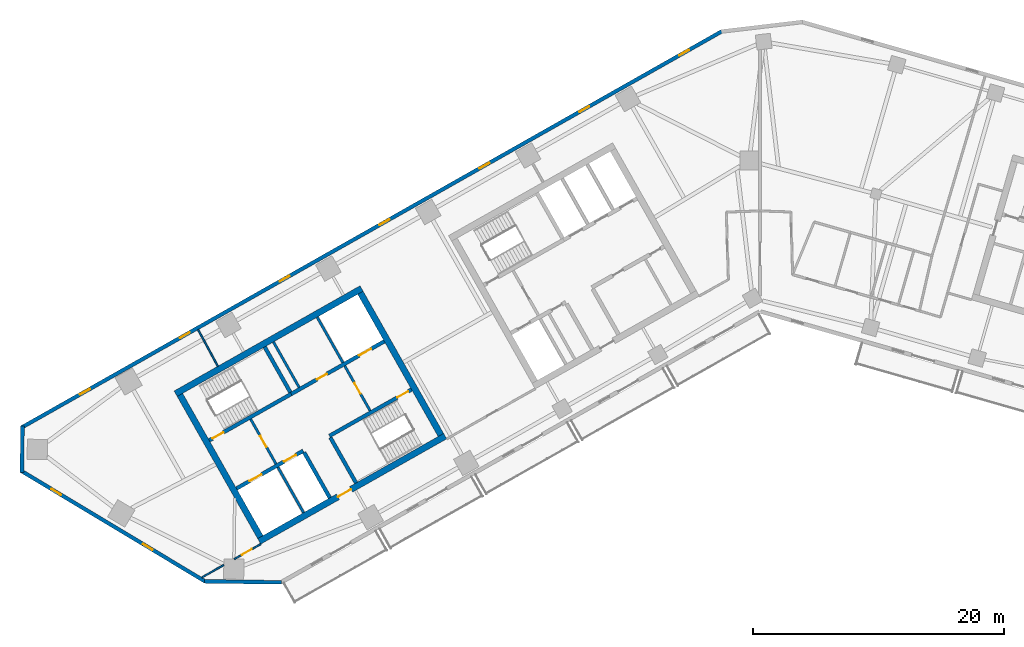
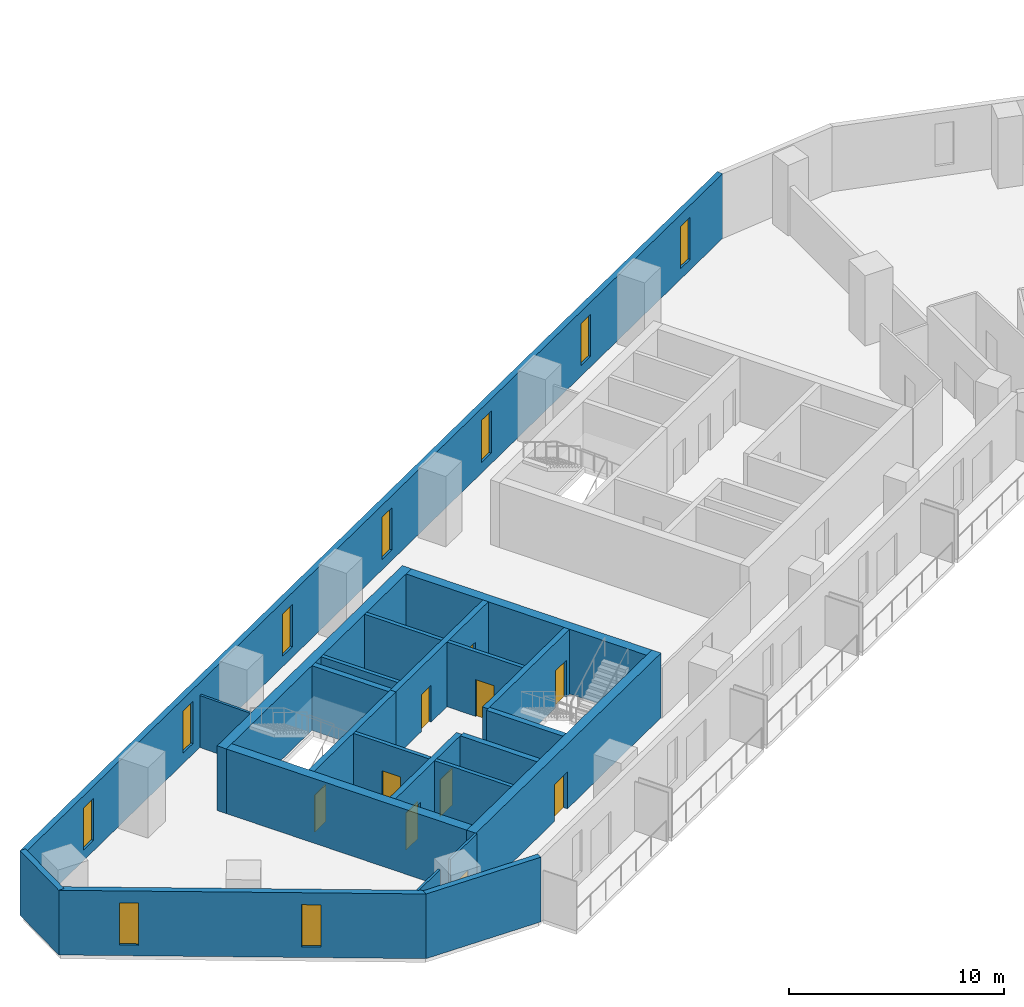
# One storey, part 3 of 9: 23 walls, 10 doors, 9 windows, 19 openings.
"""IFC4 building model written with IfcOpenShell, lengths in metres."""

from ifc_helpers import new_model, si_unit, direction, frame, frame_2d, origin, place, context, subcontext, project, spatial, rectangle, extrude, material, layer, layer_set, type_object, element, fill, save


model = new_model("IFC4")

# Units and contexts
model_context = context("Model", 3, precision=1e-05, world=origin(), true_north=direction((0.0, 1.0)))
body_context = subcontext(model_context, "Body", "Model", "MODEL_VIEW")
ifc_project = project(units=[si_unit("LENGTHUNIT", "METRE"), si_unit("AREAUNIT", "SQUARE_METRE"), si_unit("VOLUMEUNIT", "CUBIC_METRE"), si_unit("PLANEANGLEUNIT", "RADIAN"), si_unit("MASSUNIT", "GRAM", prefix="KILO")], contexts=[model_context])

# Site, building, storey
site_placement = place(None, origin())
site = spatial("IfcSite", under=ifc_project, at=site_placement, CompositionType="ELEMENT")
building_placement = place(site_placement, origin())
building = spatial("IfcBuilding", under=site, at=building_placement, Name="Binnacle Exchange Tower", CompositionType="ELEMENT")
storey_placement = place(building_placement, frame((0.0, 0.0, 174.89990234375)))
storey = spatial("IfcBuildingStorey", under=building, at=storey_placement, Name="L37", CompositionType="ELEMENT", Elevation=174.89990234375)

# Wall, openings, doors
ifc_material_1 = material(Name="Concrete C70/85", Category="concrete")
ifc_layer_1 = layer(ifc_material_1, 0.300048828125)
ifc_layer_set_1 = layer_set([ifc_layer_1], Name="Core wall - front 300")
wall_type_1 = type_object("IfcWallType", Name="Core wall - front 300", PredefinedType="SOLIDWALL", material=ifc_layer_set_1)
wall_1_placement = place(storey_placement, frame((-41.64306640625, 33.91162109375, 0.0), z_axis=(0.0, 0.0, 1.0), x_axis=(0.870343599782, 0.492444939378, 0.0)))
wall_1 = element("IfcWall", 1, at=wall_1_placement, inside=storey, type_object=wall_type_1, Name="Core wall CRWA2", PredefinedType="SOLIDWALL", context=body_context, shape_type="SweptSolid", body=[
    extrude(rectangle(XDim=6.10009765625, YDim=0.300048828125, at=frame_2d((3.050048828125, 0.0))), origin(), (0.0, 0.0, 1.0), 3.68017578125),
])
opening_1_placement = place(wall_1_placement, frame((1.199951171875, 0.0, 0.0)))
opening_1 = element("IfcOpeningElement", 2, at=opening_1_placement, cuts=wall_1, Name="Opening LD12", PredefinedType="OPENING", context=body_context, shape_type="SweptSolid", body=[
    extrude(rectangle(XDim=1.10009765625, YDim=2.10009765625, at=frame_2d((0.550048828125, 1.050048828125))), frame((0.0, 0.159912109375, 0.0), z_axis=(0.0, -1.0, 0.0), x_axis=(1.0, 0.0, 0.0)), (0.0, 0.0, 1.0), 0.320068359375),
])
opening_2_placement = place(wall_1_placement, frame((4.35009765625, 0.0, 0.0)))
opening_2 = element("IfcOpeningElement", 3, at=opening_2_placement, cuts=wall_1, Name="Opening LD8", PredefinedType="OPENING", context=body_context, shape_type="SweptSolid", body=[
    extrude(rectangle(XDim=1.10009765625, YDim=2.10009765625, at=frame_2d((0.550048828125, 1.050048828125))), frame((0.0, 0.159912109375, 0.0), z_axis=(0.0, -1.0, 0.0), x_axis=(1.0, 0.0, 0.0)), (0.0, 0.0, 1.0), 0.320068359375),
])
ifc_material_2 = material(Name="Steel door leaf", Category="steel")
door_type_1 = type_object("IfcDoorType", Name="Fire door - lift landing 1100", OperationType="NOTDEFINED", PredefinedType="DOOR", material=ifc_material_2)
door_1_placement = place(opening_1_placement, origin())
door_1 = element("IfcDoor", 4, at=door_1_placement, inside=storey, type_object=door_type_1, Name="Landing door LD12 L37", OperationType="DOUBLE_DOOR_SLIDING", OverallHeight=2.10009765625, OverallWidth=1.10009765625, PredefinedType="DOOR", context=body_context, shape_type="SweptSolid", body=[
    extrude(rectangle(XDim=1.10009765625, YDim=2.10009765625, at=frame_2d((0.550048828125, 1.050048828125))), frame((0.0, 0.02490234375, 0.0), z_axis=(0.0, -1.0, 0.0), x_axis=(1.0, 0.0, 0.0)), (0.0, 0.0, 1.0), 0.050048828125),
])
fill(opening_1, door_1)
door_2_placement = place(opening_2_placement, origin())
door_2 = element("IfcDoor", 5, at=door_2_placement, inside=storey, type_object=door_type_1, Name="Landing door LD8 L37", OperationType="DOUBLE_DOOR_SLIDING", OverallHeight=2.10009765625, OverallWidth=1.10009765625, PredefinedType="DOOR", context=body_context, shape_type="SweptSolid", body=[
    extrude(rectangle(XDim=1.10009765625, YDim=2.10009765625, at=frame_2d((0.550048828125, 1.050048828125))), frame((0.0, 0.02490234375, 0.0), z_axis=(0.0, -1.0, 0.0), x_axis=(1.0, 0.0, 0.0)), (0.0, 0.0, 1.0), 0.050048828125),
])
fill(opening_2, door_2)

wall_2_placement = place(storey_placement, frame((-37.281982421875, 41.4345703125, 0.0), z_axis=(0.0, 0.0, 1.0), x_axis=(0.870356271124, 0.492422543467, 0.0)))
wall_2 = element("IfcWall", 6, at=wall_2_placement, inside=storey, type_object=wall_type_1, Name="Core wall CRWA5", PredefinedType="SOLIDWALL", context=body_context, shape_type="SweptSolid", body=[
    extrude(rectangle(XDim=8.5, YDim=0.300048828125, at=frame_2d((4.25, 0.0))), origin(), (0.0, 0.0, 1.0), 3.68017578125),
])
opening_3_placement = place(wall_2_placement, frame((6.199951171875, 0.0, 0.0)))
opening_3 = element("IfcOpeningElement", 7, at=opening_3_placement, cuts=wall_2, Name="Opening LD13", PredefinedType="OPENING", context=body_context, shape_type="SweptSolid", body=[
    extrude(rectangle(XDim=1.10009765625, YDim=2.10009765625, at=frame_2d((0.550048828125, 1.050048828125))), frame((0.0, 0.159912109375, 0.0), z_axis=(0.0, -1.0, 0.0), x_axis=(1.0, 0.0, 0.0)), (0.0, 0.0, 1.0), 0.320068359375),
])
opening_4_placement = place(wall_2_placement, frame((2.35009765625, 0.0, 0.0)))
opening_4 = element("IfcOpeningElement", 8, at=opening_4_placement, cuts=wall_2, Name="Opening DA10", PredefinedType="OPENING", context=body_context, shape_type="SweptSolid", body=[
    extrude(rectangle(XDim=0.89990234375, YDim=2.10009765625, at=frame_2d((0.449951171875, 1.050048828125))), frame((0.0, 0.159912109375, 0.0), z_axis=(0.0, -1.0, 0.0), x_axis=(1.0, 0.0, 0.0)), (0.0, 0.0, 1.0), 0.320068359375),
])
door_3_placement = place(opening_3_placement, origin())
door_3 = element("IfcDoor", 9, at=door_3_placement, inside=storey, type_object=door_type_1, Name="Landing door LD13 L37", OperationType="DOUBLE_DOOR_SLIDING", OverallHeight=2.10009765625, OverallWidth=1.10009765625, PredefinedType="DOOR", context=body_context, shape_type="SweptSolid", body=[
    extrude(rectangle(XDim=1.10009765625, YDim=2.10009765625, at=frame_2d((0.550048828125, 1.050048828125))), frame((0.0, 0.02490234375, 0.0), z_axis=(0.0, -1.0, 0.0), x_axis=(1.0, 0.0, 0.0)), (0.0, 0.0, 1.0), 0.050048828125),
])
fill(opening_3, door_3)
door_type_2 = type_object("IfcDoorType", Name="Fire door 900", OperationType="NOTDEFINED", PredefinedType="DOOR", material=ifc_material_2)
door_4_placement = place(opening_4_placement, origin())
door_4 = element("IfcDoor", 10, at=door_4_placement, inside=storey, type_object=door_type_2, Name="Core room door TELECOM RISER ROOM", OperationType="SINGLE_SWING_LEFT", OverallHeight=2.10009765625, OverallWidth=0.89990234375, PredefinedType="DOOR", context=body_context, shape_type="SweptSolid", body=[
    extrude(rectangle(XDim=0.89990234375, YDim=2.10009765625, at=frame_2d((0.449951171875, 1.050048828125))), frame((0.0, 0.02490234375, 0.0), z_axis=(0.0, -1.0, 0.0), x_axis=(1.0, 0.0, 0.0)), (0.0, 0.0, 1.0), 0.050048828125),
])
fill(opening_4, door_4)

# Wall
wall_3_placement = place(storey_placement, frame((-36.260009765625, 36.784912109375, 0.0), z_axis=(0.0, 0.0, 1.0), x_axis=(0.492421666909, -0.870356767055, 0.0)))
element("IfcWall", 11, at=wall_3_placement, inside=storey, type_object=wall_type_1, Name="Core wall CRWA13", PredefinedType="SOLIDWALL", context=body_context, shape_type="SweptSolid", body=[
    extrude(rectangle(XDim=4.14990234375, YDim=0.300048828125, at=frame_2d((2.074951171875, 0.0))), origin(), (0.0, 0.0, 1.0), 3.68017578125),
])

# Wall, opening, door
ifc_layer_2 = layer(ifc_material_1, 0.5)
ifc_layer_set_2 = layer_set([ifc_layer_2], Name="Core wall - outer 500")
wall_type_2 = type_object("IfcWallType", Name="Core wall - outer 500", PredefinedType="SOLIDWALL", material=ifc_layer_set_2)
wall_4_placement = place(storey_placement, frame((-39.837646484375, 29.705322265625, 0.0), z_axis=(0.0, 0.0, 1.0), x_axis=(0.870350116061, 0.492433422375, 0.0)))
wall_4 = element("IfcWall", 12, at=wall_4_placement, inside=storey, type_object=wall_type_2, Name="Core wall CRWA1", PredefinedType="SOLIDWALL", context=body_context, shape_type="SweptSolid", body=[
    extrude(rectangle(XDim=17.0, YDim=0.5, at=frame_2d((8.5, 0.0))), origin(), (0.0, 0.0, 1.0), 3.68017578125),
])
opening_5_placement = place(wall_4_placement, frame((7.199951171875, 0.0, 0.0)))
opening_5 = element("IfcOpeningElement", 13, at=opening_5_placement, cuts=wall_4, Name="Opening DA7", PredefinedType="OPENING", context=body_context, shape_type="SweptSolid", body=[
    extrude(rectangle(XDim=1.199951171875, YDim=2.10009765625, at=frame_2d((0.60009765625, 1.050048828125))), frame((0.0, 0.260009765625, 0.0), z_axis=(0.0, -1.0, 0.0), x_axis=(1.0, 0.0, 0.0)), (0.0, 0.0, 1.0), 0.52001953125),
])
door_type_3 = type_object("IfcDoorType", Name="Fire door 1200", OperationType="NOTDEFINED", PredefinedType="DOOR", material=ifc_material_2)
door_5_placement = place(opening_5_placement, frame((1.199951171875, 0.0, 0.0), z_axis=(0.0, 0.0, 1.0), x_axis=(-1.0, 0.0, 0.0)))
door_5 = element("IfcDoor", 14, at=door_5_placement, inside=storey, type_object=door_type_3, Name="Lift lobby entrance door core A", OperationType="SINGLE_SWING_RIGHT", OverallHeight=2.10009765625, OverallWidth=1.199951171875, PredefinedType="DOOR", context=body_context, shape_type="SweptSolid", body=[
    extrude(rectangle(XDim=1.199951171875, YDim=2.10009765625, at=frame_2d((0.60009765625, 1.050048828125))), frame((0.0, 0.02490234375, 0.0), z_axis=(0.0, -1.0, 0.0), x_axis=(1.0, 0.0, 0.0)), (0.0, 0.0, 1.0), 0.050048828125),
])
fill(opening_5, door_5)

# Walls
wall_5_placement = place(storey_placement, frame((-46.485595703125, 41.455078125, 0.0), z_axis=(0.0, 0.0, 1.0), x_axis=(0.870353598469, 0.492427267353, 0.0)))
element("IfcWall", 15, at=wall_5_placement, inside=storey, type_object=wall_type_2, Name="Core wall CRWA6", PredefinedType="SOLIDWALL", context=body_context, shape_type="SweptSolid", body=[
    extrude(rectangle(XDim=17.000244140625, YDim=0.5, at=frame_2d((8.5, 0.0))), origin(), (0.0, 0.0, 1.0), 3.68017578125),
])
for number, where, z_axis, x_axis, name in (
    (16, (-46.144775390625, 41.360595703125, 0.0), (0.0, 0.0, 1.0), (0.492435316254, -0.870349044525, 0.0), "Core wall CRWA7"),
    (17, (-31.783935546875, 49.485595703125, 0.0), (0.0, 0.0, 1.0), (0.492435316254, -0.870349044525, 0.0), "Core wall CRWA22"),
):
    element("IfcWall", number, at=place(storey_placement, frame(where, z_axis=z_axis, x_axis=x_axis)), inside=storey, type_object=wall_type_2, Name=name, PredefinedType="SOLIDWALL", context=body_context, shape_type="SweptSolid", body=[
        extrude(rectangle(XDim=13.0, YDim=0.5, at=frame_2d((6.5, 0.0))), origin(), (0.0, 0.0, 1.0), 3.68017578125),
    ])

# Wall, opening, door
ifc_layer_3 = layer(ifc_material_1, 0.300048828125)
ifc_layer_set_3 = layer_set([ifc_layer_3], Name="Core wall - stair 300")
wall_type_3 = type_object("IfcWallType", Name="Core wall - stair 300", PredefinedType="SOLIDWALL", material=ifc_layer_set_3)
wall_6_placement = place(storey_placement, frame((-34.2451171875, 38.097412109375, 0.0), z_axis=(0.0, 0.0, 1.0), x_axis=(0.870364520461, 0.492407962489, 0.0)))
wall_6 = element("IfcWall", 18, at=wall_6_placement, inside=storey, type_object=wall_type_3, Name="Core wall CRWA3", PredefinedType="SOLIDWALL", context=body_context, shape_type="SweptSolid", body=[
    extrude(rectangle(XDim=7.5, YDim=0.300048828125, at=frame_2d((3.75, 0.0))), origin(), (0.0, 0.0, 1.0), 3.68017578125),
])
opening_6_placement = place(wall_6_placement, frame((6.199951171875, 0.0, 0.0)))
opening_6 = element("IfcOpeningElement", 19, at=opening_6_placement, cuts=wall_6, Name="Opening DA2", PredefinedType="OPENING", context=body_context, shape_type="SweptSolid", body=[
    extrude(rectangle(XDim=1.0, YDim=2.10009765625, at=frame_2d((0.5, 1.050048828125))), frame((0.0, 0.159912109375, 0.0), z_axis=(0.0, -1.0, 0.0), x_axis=(1.0, 0.0, 0.0)), (0.0, 0.0, 1.0), 0.320068359375),
])
door_type_4 = type_object("IfcDoorType", Name="Fire door 1000", OperationType="NOTDEFINED", PredefinedType="DOOR", material=ifc_material_2)
door_6_placement = place(opening_6_placement, frame((1.0, 0.0, 0.0), z_axis=(0.0, 0.0, 1.0), x_axis=(-1.0, 0.0, 0.0)))
door_6 = element("IfcDoor", 20, at=door_6_placement, inside=storey, type_object=door_type_4, Name="Stair door ST-A2", OperationType="SINGLE_SWING_LEFT", OverallHeight=2.10009765625, OverallWidth=1.0, PredefinedType="DOOR", context=body_context, shape_type="SweptSolid", body=[
    extrude(rectangle(XDim=1.0, YDim=2.10009765625, at=frame_2d((0.5, 1.050048828125))), frame((0.0, 0.02490234375, 0.0), z_axis=(0.0, -1.0, 0.0), x_axis=(1.0, 0.0, 0.0)), (0.0, 0.0, 1.0), 0.050048828125),
])
fill(opening_6, door_6)

wall_7_placement = place(storey_placement, frame((-43.809814453125, 37.7412109375, 0.0), z_axis=(0.0, 0.0, 1.0), x_axis=(0.870350569555, 0.492432620848, 0.0)))
wall_7 = element("IfcWall", 21, at=wall_7_placement, inside=storey, type_object=wall_type_3, Name="Core wall CRWA4", PredefinedType="SOLIDWALL", context=body_context, shape_type="SweptSolid", body=[
    extrude(rectangle(XDim=7.500244140625, YDim=0.300048828125, at=frame_2d((3.75, 0.0))), origin(), (0.0, 0.0, 1.0), 3.68017578125),
])
opening_7_placement = place(wall_7_placement, frame((0.2998046875, 0.0, 0.0)))
opening_7 = element("IfcOpeningElement", 22, at=opening_7_placement, cuts=wall_7, Name="Opening DA1", PredefinedType="OPENING", context=body_context, shape_type="SweptSolid", body=[
    extrude(rectangle(XDim=1.0, YDim=2.10009765625, at=frame_2d((0.5, 1.050048828125))), frame((0.0, 0.159912109375, 0.0), z_axis=(0.0, -1.0, 0.0), x_axis=(1.0, 0.0, 0.0)), (0.0, 0.0, 1.0), 0.320068359375),
])
door_7_placement = place(opening_7_placement, origin())
door_7 = element("IfcDoor", 23, at=door_7_placement, inside=storey, type_object=door_type_4, Name="Stair door ST-A1", OperationType="SINGLE_SWING_LEFT", OverallHeight=2.10009765625, OverallWidth=1.0, PredefinedType="DOOR", context=body_context, shape_type="SweptSolid", body=[
    extrude(rectangle(XDim=1.0, YDim=2.10009765625, at=frame_2d((0.5, 1.050048828125))), frame((0.0, 0.02490234375, 0.0), z_axis=(0.0, -1.0, 0.0), x_axis=(1.0, 0.0, 0.0)), (0.0, 0.0, 1.0), 0.050048828125),
])
fill(opening_7, door_7)

# Walls
for number, where, z_axis, x_axis, name in (
    (24, (-39.3994140625, 45.177001953125, 0.0), (0.0, 0.0, 1.0), (0.492396453737, -0.870371031427, 0.0), "Core wall CRWA14"),
    (25, (-34.171142578125, 37.966796875, 0.0), (0.0, 0.0, 1.0), (0.492396453737, -0.870371031427, 0.0), "Core wall CRWA16"),
):
    element("IfcWall", number, at=place(storey_placement, frame(where, z_axis=z_axis, x_axis=x_axis)), inside=storey, type_object=wall_type_3, Name=name, PredefinedType="SOLIDWALL", context=body_context, shape_type="SweptSolid", body=[
        extrude(rectangle(XDim=4.14990234375, YDim=0.300048828125, at=frame_2d((2.074951171875, 0.0))), origin(), (0.0, 0.0, 1.0), 3.68017578125),
    ])
ifc_material_3 = material(Name="Bronze aluminium cladding", Category="aluminium")
ifc_layer_4 = layer(ifc_material_3, 0.300048828125)
ifc_layer_set_4 = layer_set([ifc_layer_4], Name="External wall - spandrel 300")
wall_type_4 = type_object("IfcWallType", Name="External wall - spandrel 300", PredefinedType="STANDARD", material=ifc_layer_set_4)
wall_8_placement = place(storey_placement, frame((-38.057373046875, 26.44482421875, 0.0), z_axis=(0.0, 0.0, 1.0), x_axis=(-0.999914086342, 0.013108010296, 0.0)))
element("IfcWall", 26, at=wall_8_placement, inside=storey, type_object=wall_type_4, Name="External wall EW-G00 L37", PredefinedType="STANDARD", context=body_context, shape_type="SweptSolid", body=[
    extrude(rectangle(XDim=6.127685546875, YDim=0.300048828125, at=frame_2d((3.06396484375, 0.0))), origin(), (0.0, 0.0, 1.0), 3.68017578125),
])

# Wall, openings, windows
wall_9_placement = place(storey_placement, frame((-58.744873046875, 38.763671875, 0.0), z_axis=(0.0, 0.0, 1.0), x_axis=(0.870355811726, 0.492423355453, 0.0)))
wall_9 = element("IfcWall", 27, at=wall_9_placement, inside=storey, type_object=wall_type_4, Name="External wall EW-G08 L37", PredefinedType="STANDARD", context=body_context, shape_type="SweptSolid", body=[
    extrude(rectangle(XDim=64.025390625, YDim=0.300048828125, at=frame_2d((32.0126953125, 0.0))), origin(), (0.0, 0.0, 1.0), 3.68017578125),
])
opening_8_placement = place(wall_9_placement, frame((60.12158203125, 0.0, 0.60009765625)))
opening_8 = element("IfcOpeningElement", 28, at=opening_8_placement, cuts=wall_9, Name="Opening WS3", PredefinedType="OPENING", context=body_context, shape_type="SweptSolid", body=[
    extrude(rectangle(XDim=0.89990234375, YDim=2.39990234375, at=frame_2d((0.449951171875, 1.199951171875))), frame((0.0, 0.159912109375, 0.0), z_axis=(0.0, -1.0, 0.0), x_axis=(1.0, 0.0, 0.0)), (0.0, 0.0, 1.0), 0.320068359375),
])
opening_9_placement = place(wall_9_placement, frame((50.99169921875, 0.0, 0.60009765625)))
opening_9 = element("IfcOpeningElement", 29, at=opening_9_placement, cuts=wall_9, Name="Opening WS3", PredefinedType="OPENING", context=body_context, shape_type="SweptSolid", body=[
    extrude(rectangle(XDim=0.89990234375, YDim=2.39990234375, at=frame_2d((0.449951171875, 1.199951171875))), frame((0.0, 0.159912109375, 0.0), z_axis=(0.0, -1.0, 0.0), x_axis=(1.0, 0.0, 0.0)), (0.0, 0.0, 1.0), 0.320068359375),
])
opening_10_placement = place(wall_9_placement, frame((41.86181640625, 0.0, 0.60009765625)))
opening_10 = element("IfcOpeningElement", 30, at=opening_10_placement, cuts=wall_9, Name="Opening WS3", PredefinedType="OPENING", context=body_context, shape_type="SweptSolid", body=[
    extrude(rectangle(XDim=0.89990234375, YDim=2.39990234375, at=frame_2d((0.449951171875, 1.199951171875))), frame((0.0, 0.159912109375, 0.0), z_axis=(0.0, -1.0, 0.0), x_axis=(1.0, 0.0, 0.0)), (0.0, 0.0, 1.0), 0.320068359375),
])
opening_11_placement = place(wall_9_placement, frame((32.73193359375, 0.0, 0.60009765625)))
opening_11 = element("IfcOpeningElement", 31, at=opening_11_placement, cuts=wall_9, Name="Opening WS3", PredefinedType="OPENING", context=body_context, shape_type="SweptSolid", body=[
    extrude(rectangle(XDim=0.89990234375, YDim=2.39990234375, at=frame_2d((0.449951171875, 1.199951171875))), frame((0.0, 0.159912109375, 0.0), z_axis=(0.0, -1.0, 0.0), x_axis=(1.0, 0.0, 0.0)), (0.0, 0.0, 1.0), 0.320068359375),
])
opening_12_placement = place(wall_9_placement, frame((23.60205078125, 0.0, 0.60009765625)))
opening_12 = element("IfcOpeningElement", 32, at=opening_12_placement, cuts=wall_9, Name="Opening WS3", PredefinedType="OPENING", context=body_context, shape_type="SweptSolid", body=[
    extrude(rectangle(XDim=0.89990234375, YDim=2.39990234375, at=frame_2d((0.449951171875, 1.199951171875))), frame((0.0, 0.159912109375, 0.0), z_axis=(0.0, -1.0, 0.0), x_axis=(1.0, 0.0, 0.0)), (0.0, 0.0, 1.0), 0.320068359375),
])
opening_13_placement = place(wall_9_placement, frame((14.47216796875, 0.0, 0.60009765625)))
opening_13 = element("IfcOpeningElement", 33, at=opening_13_placement, cuts=wall_9, Name="Opening WS3", PredefinedType="OPENING", context=body_context, shape_type="SweptSolid", body=[
    extrude(rectangle(XDim=0.89990234375, YDim=2.39990234375, at=frame_2d((0.449951171875, 1.199951171875))), frame((0.0, 0.159912109375, 0.0), z_axis=(0.0, -1.0, 0.0), x_axis=(1.0, 0.0, 0.0)), (0.0, 0.0, 1.0), 0.320068359375),
])
opening_14_placement = place(wall_9_placement, frame((5.34228515625, 0.0, 0.60009765625)))
opening_14 = element("IfcOpeningElement", 34, at=opening_14_placement, cuts=wall_9, Name="Opening WS3", PredefinedType="OPENING", context=body_context, shape_type="SweptSolid", body=[
    extrude(rectangle(XDim=0.89990234375, YDim=2.39990234375, at=frame_2d((0.449951171875, 1.199951171875))), frame((0.0, 0.159912109375, 0.0), z_axis=(0.0, -1.0, 0.0), x_axis=(1.0, 0.0, 0.0)), (0.0, 0.0, 1.0), 0.320068359375),
])
ifc_material_4 = material(Name="Bronze anodised aluminium frame", Category="aluminium")
window_type = type_object("IfcWindowType", Name="WS3 WINDOW 900x2400", PartitioningType="SINGLE_PANEL", PredefinedType="WINDOW", material=ifc_material_4)
window_1_placement = place(opening_8_placement, origin())
window_1 = element("IfcWindow", 35, at=window_1_placement, inside=storey, type_object=window_type, Name="Window WS3 L37", OverallHeight=2.39990234375, OverallWidth=0.89990234375, PartitioningType="SINGLE_PANEL", PredefinedType="WINDOW", context=body_context, shape_type="SweptSolid", body=[
    extrude(rectangle(XDim=0.89990234375, YDim=2.39990234375, at=frame_2d((0.449951171875, 1.199951171875))), frame((0.0, 0.030029296875, 0.0), z_axis=(0.0, -1.0, 0.0), x_axis=(1.0, 0.0, 0.0)), (0.0, 0.0, 1.0), 0.06005859375),
])
fill(opening_8, window_1)
window_2_placement = place(opening_9_placement, origin())
window_2 = element("IfcWindow", 36, at=window_2_placement, inside=storey, type_object=window_type, Name="Window WS3 L37", OverallHeight=2.39990234375, OverallWidth=0.89990234375, PartitioningType="SINGLE_PANEL", PredefinedType="WINDOW", context=body_context, shape_type="SweptSolid", body=[
    extrude(rectangle(XDim=0.89990234375, YDim=2.39990234375, at=frame_2d((0.449951171875, 1.199951171875))), frame((0.0, 0.030029296875, 0.0), z_axis=(0.0, -1.0, 0.0), x_axis=(1.0, 0.0, 0.0)), (0.0, 0.0, 1.0), 0.06005859375),
])
fill(opening_9, window_2)
window_3_placement = place(opening_10_placement, origin())
window_3 = element("IfcWindow", 37, at=window_3_placement, inside=storey, type_object=window_type, Name="Window WS3 L37", OverallHeight=2.39990234375, OverallWidth=0.89990234375, PartitioningType="SINGLE_PANEL", PredefinedType="WINDOW", context=body_context, shape_type="SweptSolid", body=[
    extrude(rectangle(XDim=0.89990234375, YDim=2.39990234375, at=frame_2d((0.449951171875, 1.199951171875))), frame((0.0, 0.030029296875, 0.0), z_axis=(0.0, -1.0, 0.0), x_axis=(1.0, 0.0, 0.0)), (0.0, 0.0, 1.0), 0.06005859375),
])
fill(opening_10, window_3)
window_4_placement = place(opening_11_placement, origin())
window_4 = element("IfcWindow", 38, at=window_4_placement, inside=storey, type_object=window_type, Name="Window WS3 L37", OverallHeight=2.39990234375, OverallWidth=0.89990234375, PartitioningType="SINGLE_PANEL", PredefinedType="WINDOW", context=body_context, shape_type="SweptSolid", body=[
    extrude(rectangle(XDim=0.89990234375, YDim=2.39990234375, at=frame_2d((0.449951171875, 1.199951171875))), frame((0.0, 0.030029296875, 0.0), z_axis=(0.0, -1.0, 0.0), x_axis=(1.0, 0.0, 0.0)), (0.0, 0.0, 1.0), 0.06005859375),
])
fill(opening_11, window_4)
window_5_placement = place(opening_12_placement, origin())
window_5 = element("IfcWindow", 39, at=window_5_placement, inside=storey, type_object=window_type, Name="Window WS3 L37", OverallHeight=2.39990234375, OverallWidth=0.89990234375, PartitioningType="SINGLE_PANEL", PredefinedType="WINDOW", context=body_context, shape_type="SweptSolid", body=[
    extrude(rectangle(XDim=0.89990234375, YDim=2.39990234375, at=frame_2d((0.449951171875, 1.199951171875))), frame((0.0, 0.030029296875, 0.0), z_axis=(0.0, -1.0, 0.0), x_axis=(1.0, 0.0, 0.0)), (0.0, 0.0, 1.0), 0.06005859375),
])
fill(opening_12, window_5)
window_6_placement = place(opening_13_placement, origin())
window_6 = element("IfcWindow", 40, at=window_6_placement, inside=storey, type_object=window_type, Name="Window WS3 L37", OverallHeight=2.39990234375, OverallWidth=0.89990234375, PartitioningType="SINGLE_PANEL", PredefinedType="WINDOW", context=body_context, shape_type="SweptSolid", body=[
    extrude(rectangle(XDim=0.89990234375, YDim=2.39990234375, at=frame_2d((0.449951171875, 1.199951171875))), frame((0.0, 0.030029296875, 0.0), z_axis=(0.0, -1.0, 0.0), x_axis=(1.0, 0.0, 0.0)), (0.0, 0.0, 1.0), 0.06005859375),
])
fill(opening_13, window_6)
window_7_placement = place(opening_14_placement, origin())
window_7 = element("IfcWindow", 41, at=window_7_placement, inside=storey, type_object=window_type, Name="Window WS3 L37", OverallHeight=2.39990234375, OverallWidth=0.89990234375, PartitioningType="SINGLE_PANEL", PredefinedType="WINDOW", context=body_context, shape_type="SweptSolid", body=[
    extrude(rectangle(XDim=0.89990234375, YDim=2.39990234375, at=frame_2d((0.449951171875, 1.199951171875))), frame((0.0, 0.030029296875, 0.0), z_axis=(0.0, -1.0, 0.0), x_axis=(1.0, 0.0, 0.0)), (0.0, 0.0, 1.0), 0.06005859375),
])
fill(opening_14, window_7)

# Wall
wall_10_placement = place(storey_placement, frame((-58.717041015625, 35.19384765625, 0.0), z_axis=(0.0, 0.0, 1.0), x_axis=(0.013069053407, 0.999914596275, 0.0)))
element("IfcWall", 42, at=wall_10_placement, inside=storey, type_object=wall_type_4, Name="External wall EW-G09 L37", PredefinedType="STANDARD", context=body_context, shape_type="SweptSolid", body=[
    extrude(rectangle(XDim=3.69873046875, YDim=0.300048828125, at=frame_2d((1.849365234375, 0.0))), origin(), (0.0, 0.0, 1.0), 3.68017578125),
])

# Wall, openings, windows
wall_11_placement = place(storey_placement, frame((-44.109375, 26.503662109375, 0.0), z_axis=(0.0, 0.0, 1.0), x_axis=(-0.857169502585, 0.515034410344, 0.0)))
wall_11 = element("IfcWall", 43, at=wall_11_placement, inside=storey, type_object=wall_type_4, Name="External wall EW-G10 L37", PredefinedType="STANDARD", context=body_context, shape_type="SweptSolid", body=[
    extrude(rectangle(XDim=17.126708984375, YDim=0.300048828125, at=frame_2d((8.5634765625, 0.0))), origin(), (0.0, 0.0, 1.0), 3.68017578125),
])
opening_15_placement = place(wall_11_placement, frame((13.403076171875, 0.0, 0.60009765625)))
opening_15 = element("IfcOpeningElement", 44, at=opening_15_placement, cuts=wall_11, Name="Opening WS3", PredefinedType="OPENING", context=body_context, shape_type="SweptSolid", body=[
    extrude(rectangle(XDim=0.89990234375, YDim=2.39990234375, at=frame_2d((0.449951171875, 1.199951171875))), frame((0.0, 0.159912109375, 0.0), z_axis=(0.0, -1.0, 0.0), x_axis=(1.0, 0.0, 0.0)), (0.0, 0.0, 1.0), 0.320068359375),
])
opening_16_placement = place(wall_11_placement, frame((4.903076171875, 0.0, 0.60009765625)))
opening_16 = element("IfcOpeningElement", 45, at=opening_16_placement, cuts=wall_11, Name="Opening WS3", PredefinedType="OPENING", context=body_context, shape_type="SweptSolid", body=[
    extrude(rectangle(XDim=0.89990234375, YDim=2.39990234375, at=frame_2d((0.449951171875, 1.199951171875))), frame((0.0, 0.159912109375, 0.0), z_axis=(0.0, -1.0, 0.0), x_axis=(1.0, 0.0, 0.0)), (0.0, 0.0, 1.0), 0.320068359375),
])
window_8_placement = place(opening_15_placement, origin())
window_8 = element("IfcWindow", 46, at=window_8_placement, inside=storey, type_object=window_type, Name="Window WS3 L37", OverallHeight=2.39990234375, OverallWidth=0.89990234375, PartitioningType="SINGLE_PANEL", PredefinedType="WINDOW", context=body_context, shape_type="SweptSolid", body=[
    extrude(rectangle(XDim=0.89990234375, YDim=2.39990234375, at=frame_2d((0.449951171875, 1.199951171875))), frame((0.0, 0.030029296875, 0.0), z_axis=(0.0, -1.0, 0.0), x_axis=(1.0, 0.0, 0.0)), (0.0, 0.0, 1.0), 0.06005859375),
])
fill(opening_15, window_8)
window_9_placement = place(opening_16_placement, origin())
window_9 = element("IfcWindow", 47, at=window_9_placement, inside=storey, type_object=window_type, Name="Window WS3 L37", OverallHeight=2.39990234375, OverallWidth=0.89990234375, PartitioningType="SINGLE_PANEL", PredefinedType="WINDOW", context=body_context, shape_type="SweptSolid", body=[
    extrude(rectangle(XDim=0.89990234375, YDim=2.39990234375, at=frame_2d((0.449951171875, 1.199951171875))), frame((0.0, 0.030029296875, 0.0), z_axis=(0.0, -1.0, 0.0), x_axis=(1.0, 0.0, 0.0)), (0.0, 0.0, 1.0), 0.06005859375),
])
fill(opening_16, window_9)

# Wall, opening, door
ifc_material_5 = material(Name="Masonry block wall", Category="masonry")
ifc_layer_5 = layer(ifc_material_5, 0.199951171875)
ifc_layer_set_5 = layer_set([ifc_layer_5], Name="Fire wall - vestibule 200")
wall_type_5 = type_object("IfcWallType", Name="Fire wall - vestibule 200", PredefinedType="PARTITIONING", material=ifc_layer_set_5)
wall_12_placement = place(storey_placement, frame((-40.515625, 39.4326171875, 0.0), z_axis=(0.0, 0.0, 1.0), x_axis=(0.492453559952, -0.87033872216, 0.0)))
wall_12 = element("IfcWall", 48, at=wall_12_placement, inside=storey, type_object=wall_type_5, Name="Core wall CRWA10", PredefinedType="PARTITIONING", context=body_context, shape_type="SweptSolid", body=[
    extrude(rectangle(XDim=4.099853515625, YDim=0.199951171875, at=frame_2d((2.0498046875, 0.0))), origin(), (0.0, 0.0, 1.0), 3.68017578125),
])
opening_17_placement = place(wall_12_placement, frame((1.550048828125, 0.0, 0.0)))
opening_17 = element("IfcOpeningElement", 49, at=opening_17_placement, cuts=wall_12, Name="Opening DA3", PredefinedType="OPENING", context=body_context, shape_type="SweptSolid", body=[
    extrude(rectangle(XDim=1.0, YDim=2.10009765625, at=frame_2d((0.5, 1.050048828125))), frame((0.0, 0.10986328125, 0.0), z_axis=(0.0, -1.0, 0.0), x_axis=(1.0, 0.0, 0.0)), (0.0, 0.0, 1.0), 0.219970703125),
])
door_8_placement = place(opening_17_placement, frame((1.0, 0.0, 0.0), z_axis=(0.0, 0.0, 1.0), x_axis=(-1.0, 0.0, 0.0)))
door_8 = element("IfcDoor", 50, at=door_8_placement, inside=storey, type_object=door_type_4, Name="Vestibule door VEST-W", OperationType="SINGLE_SWING_LEFT", OverallHeight=2.10009765625, OverallWidth=1.0, PredefinedType="DOOR", context=body_context, shape_type="SweptSolid", body=[
    extrude(rectangle(XDim=1.0, YDim=2.10009765625, at=frame_2d((0.5, 1.050048828125))), frame((0.0, 0.02490234375, 0.0), z_axis=(0.0, -1.0, 0.0), x_axis=(1.0, 0.0, 0.0)), (0.0, 0.0, 1.0), 0.050048828125),
])
fill(opening_17, door_8)

wall_13_placement = place(storey_placement, frame((-33.030517578125, 43.66748046875, 0.0), z_axis=(0.0, 0.0, 1.0), x_axis=(0.492408451753, -0.87036424366, 0.0)))
wall_13 = element("IfcWall", 51, at=wall_13_placement, inside=storey, type_object=wall_type_5, Name="Core wall CRWA19", PredefinedType="PARTITIONING", context=body_context, shape_type="SweptSolid", body=[
    extrude(rectangle(XDim=4.099853515625, YDim=0.199951171875, at=frame_2d((2.0498046875, 0.0))), origin(), (0.0, 0.0, 1.0), 3.68017578125),
])
opening_18_placement = place(wall_13_placement, frame((1.550048828125, 0.0, 0.0)))
opening_18 = element("IfcOpeningElement", 52, at=opening_18_placement, cuts=wall_13, Name="Opening DA4", PredefinedType="OPENING", context=body_context, shape_type="SweptSolid", body=[
    extrude(rectangle(XDim=1.0, YDim=2.10009765625, at=frame_2d((0.5, 1.050048828125))), frame((0.0, 0.10986328125, 0.0), z_axis=(0.0, -1.0, 0.0), x_axis=(1.0, 0.0, 0.0)), (0.0, 0.0, 1.0), 0.219970703125),
])
door_9_placement = place(opening_18_placement, origin())
door_9 = element("IfcDoor", 53, at=door_9_placement, inside=storey, type_object=door_type_4, Name="Vestibule door VEST-E", OperationType="SINGLE_SWING_RIGHT", OverallHeight=2.10009765625, OverallWidth=1.0, PredefinedType="DOOR", context=body_context, shape_type="SweptSolid", body=[
    extrude(rectangle(XDim=1.0, YDim=2.10009765625, at=frame_2d((0.5, 1.050048828125))), frame((0.0, 0.02490234375, 0.0), z_axis=(0.0, -1.0, 0.0), x_axis=(1.0, 0.0, 0.0)), (0.0, 0.0, 1.0), 0.050048828125),
])
fill(opening_18, door_9)

# Walls
ifc_material_6 = material(Name="Gypsum partition")
ifc_layer_6 = layer(ifc_material_6, 0.125)
ifc_layer_set_6 = layer_set([ifc_layer_6], Name="Partition 125")
wall_type_6 = type_object("IfcWallType", Name="Partition 125", PredefinedType="PARTITIONING", material=ifc_layer_set_6)
wall_14_placement = place(storey_placement, frame((-44.693115234375, 46.5419921875, 0.0), z_axis=(0.0, 0.0, 1.0), x_axis=(0.475199384016, -0.879878142376, 0.0)))
element("IfcWall", 54, at=wall_14_placement, inside=storey, type_object=wall_type_6, Name="Partition W01", PredefinedType="PARTITIONING", context=body_context, shape_type="SweptSolid", body=[
    extrude(rectangle(XDim=3.2958984375, YDim=0.125, at=frame_2d((1.64794921875, 0.0))), origin(), (0.0, 0.0, 1.0), 2.960205078125),
])
wall_15_placement = place(storey_placement, frame((-44.385986328125, 26.844970703125, 0.0), z_axis=(0.0, 0.0, 1.0), x_axis=(0.870453184796, 0.492251209322, 0.0)))
element("IfcWall", 55, at=wall_15_placement, inside=storey, type_object=wall_type_6, Name="Partition W02", PredefinedType="PARTITIONING", context=body_context, shape_type="SweptSolid", body=[
    extrude(rectangle(XDim=1.99072265625, YDim=0.125, at=frame_2d((0.995361328125, 0.0))), origin(), (0.0, 0.0, 1.0), 3.68017578125),
])

# Wall, opening, door
wall_16_placement = place(storey_placement, frame((-41.823974609375, 28.2939453125, 0.0), z_axis=(0.0, 0.0, 1.0), x_axis=(0.870189216305, 0.492717695873, 0.0)))
wall_16 = element("IfcWall", 56, at=wall_16_placement, inside=storey, type_object=wall_type_6, Name="Partition W03", PredefinedType="PARTITIONING", context=body_context, shape_type="SweptSolid", body=[
    extrude(rectangle(XDim=2.423583984375, YDim=0.125, at=frame_2d((1.2119140625, 0.0))), origin(), (0.0, 0.0, 1.0), 3.68017578125),
])
opening_19_placement = place(wall_16_placement, frame((0.699951171875, 0.0, 0.0)))
opening_19 = element("IfcOpeningElement", 57, at=opening_19_placement, cuts=wall_16, Name="Opening DL35-01", PredefinedType="OPENING", context=body_context, shape_type="SweptSolid", body=[
    extrude(rectangle(XDim=0.89990234375, YDim=2.10009765625, at=frame_2d((0.449951171875, 1.050048828125))), frame((0.0, 0.072509765625, 0.0), z_axis=(0.0, -1.0, 0.0), x_axis=(1.0, 0.0, 0.0)), (0.0, 0.0, 1.0), 0.14501953125),
])
ifc_material_7 = material(Name="Timber door leaf", Category="wood")
door_type_5 = type_object("IfcDoorType", Name="Door 900", OperationType="NOTDEFINED", PredefinedType="DOOR", material=ifc_material_7)
door_10_placement = place(opening_19_placement, origin())
door_10 = element("IfcDoor", 58, at=door_10_placement, inside=storey, type_object=door_type_5, Name="Door DL35-01", OperationType="SINGLE_SWING_LEFT", OverallHeight=2.10009765625, OverallWidth=0.89990234375, PredefinedType="DOOR", context=body_context, shape_type="SweptSolid", body=[
    extrude(rectangle(XDim=0.89990234375, YDim=2.10009765625, at=frame_2d((0.449951171875, 1.050048828125))), frame((0.0, 0.02490234375, 0.0), z_axis=(0.0, -1.0, 0.0), x_axis=(1.0, 0.0, 0.0)), (0.0, 0.0, 1.0), 0.050048828125),
])
fill(opening_19, door_10)

# Walls
ifc_layer_7 = layer(ifc_material_5, 0.199951171875)
ifc_layer_set_7 = layer_set([ifc_layer_7], Name="Riser wall 200")
wall_type_7 = type_object("IfcWallType", Name="Riser wall 200", PredefinedType="SOLIDWALL", material=ifc_layer_set_7)
wall_17_placement = place(storey_placement, frame((-38.703125, 45.571044921875, 0.0), z_axis=(0.0, 0.0, 1.0), x_axis=(0.492396453737, -0.870371031427, 0.0)))
element("IfcWall", 59, at=wall_17_placement, inside=storey, type_object=wall_type_7, Name="Core wall CRWA15", PredefinedType="SOLIDWALL", context=body_context, shape_type="SweptSolid", body=[
    extrude(rectangle(XDim=4.14990234375, YDim=0.199951171875, at=frame_2d((2.074951171875, 0.0))), origin(), (0.0, 0.0, 1.0), 3.68017578125),
])
ifc_layer_8 = layer(ifc_material_5, 0.199951171875)
ifc_layer_set_8 = layer_set([ifc_layer_8], Name="Shaft wall 200")
wall_type_8 = type_object("IfcWallType", Name="Shaft wall 200", PredefinedType="SOLIDWALL", material=ifc_layer_set_8)
for number, where, z_axis, x_axis, name in (
    (60, (-38.348876953125, 35.603271484375, 0.0), (0.0, 0.0, 1.0), (0.492396453737, -0.870371031427, 0.0), "Core wall CRWA9"),
    (61, (-35.2216796875, 47.54052734375, 0.0), (0.0, 0.0, 1.0), (0.492421666909, -0.870356767055, 0.0), "Core wall CRWA21"),
):
    element("IfcWall", number, at=place(storey_placement, frame(where, z_axis=z_axis, x_axis=x_axis)), inside=storey, type_object=wall_type_8, Name=name, PredefinedType="SOLIDWALL", context=body_context, shape_type="SweptSolid", body=[
        extrude(rectangle(XDim=4.14990234375, YDim=0.199951171875, at=frame_2d((2.074951171875, 0.0))), origin(), (0.0, 0.0, 1.0), 3.68017578125),
    ])

save(model, "model.ifc")
